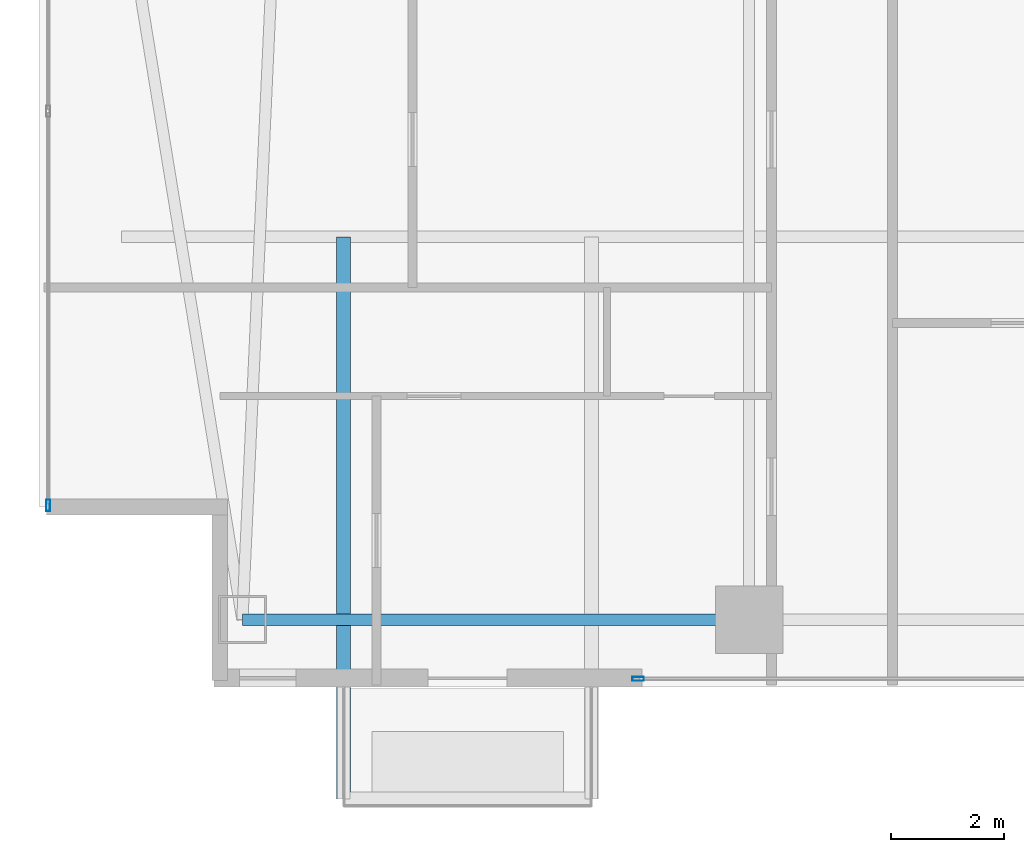
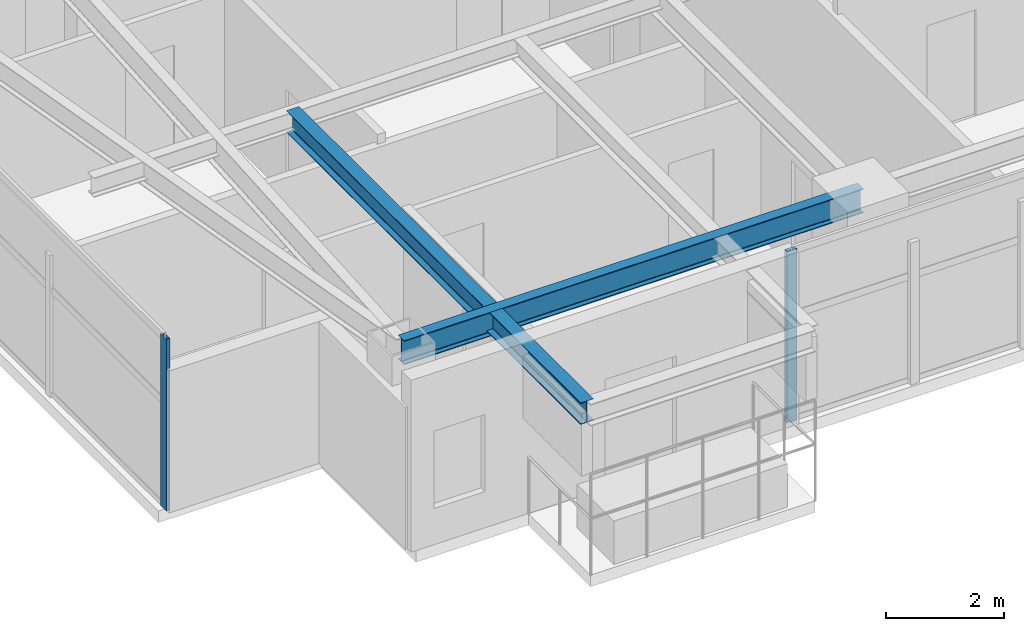
# One storey, part 2 of 29: 2 beams, 2 members, 2 elements without a shape of their own.
"""IFC4 building model written with IfcOpenShell, lengths in metres."""

from ifc_helpers import new_model, si_unit, direction, frame, origin, origin_2d, place, context, subcontext, project, spatial, hollow_rectangle, i_section, extrude, material, layer, layer_set, material_profile, profile_set, type_object, element, aggregate, save


model = new_model("IFC4")

# Units and contexts
model_context = context("Model", 3, precision=1e-05, world=origin(), true_north=direction((0.0, 1.0)))
body_context = subcontext(model_context, "Body", "Model", "MODEL_VIEW")
ifc_project = project(units=[si_unit("LENGTHUNIT", "METRE"), si_unit("AREAUNIT", "SQUARE_METRE"), si_unit("VOLUMEUNIT", "CUBIC_METRE"), si_unit("PLANEANGLEUNIT", "RADIAN"), si_unit("MASSUNIT", "GRAM", prefix="KILO")], contexts=[model_context])

# Site, building, storey
site_placement = place(None, origin())
site = spatial("IfcSite", under=ifc_project, at=site_placement, CompositionType="ELEMENT")
building_placement = place(site_placement, origin())
building = spatial("IfcBuilding", under=site, at=building_placement, Name="Calvorn Quay Hotel", CompositionType="ELEMENT")
storey_placement = place(building_placement, frame((0.0, 0.0, 163.699951171875)))
storey = spatial("IfcBuildingStorey", under=building, at=storey_placement, Name="L40", CompositionType="ELEMENT", Elevation=163.699951171875)

# Beams
ifc_material_1 = material(Name="Steel Q355B", Category="steel")
ifc_material_profile_1 = material_profile(ifc_material_1, i_section(OverallWidth=0.25, OverallDepth=0.449951171875, WebThickness=0.011962890625, FlangeThickness=0.01611328125, FilletRadius=0.01611328125, at=origin_2d()), Name="HN450x250x12x16")
ifc_profile_set_1 = profile_set([ifc_material_profile_1], Name="Steel Q355B")
beam_type_1 = type_object("IfcBeamType", Name="BM-CANT-BALC", PredefinedType="BEAM", material=ifc_profile_set_1)
beam_1_placement = place(storey_placement, frame((5.39990234375, 10.39990234375, 3.31494140625), z_axis=(0.0, -1.0, 0.0), x_axis=(1.0, 0.0, 0.0)))
element("IfcBeam", 1, at=beam_1_placement, inside=storey, type_object=beam_type_1, Name="Cantilever Balcony Beam BCB-L41-2A", PredefinedType="BEAM", context=body_context, shape_type="SweptSolid", body=[
    extrude(i_section(OverallWidth=0.25, OverallDepth=0.449951171875, WebThickness=0.011962890625, FlangeThickness=0.01611328125, FilletRadius=0.01611328125, at=origin_2d()), origin(), (0.0, 0.0, 1.0), 9.989990234375),
])
ifc_material_2 = material(Name="Steel Q355B", Category="steel")
ifc_material_profile_2 = material_profile(ifc_material_2, i_section(OverallWidth=0.199951171875, OverallDepth=0.5, WebThickness=0.010009765625, FlangeThickness=0.01611328125, FilletRadius=0.01611328125, at=origin_2d()), Name="HN500x200x10x16")
ifc_profile_set_2 = profile_set([ifc_material_profile_2], Name="Steel Q355B")
beam_type_2 = type_object("IfcBeamType", Name="BM-SPANDREL-Z1", PredefinedType="SPANDREL", material=ifc_profile_set_2)
beam_2_placement = place(storey_placement, frame((3.60009765625, 3.60009765625, 3.2900390625), z_axis=(1.0, 0.0, 0.0), x_axis=(0.0, 1.0, 0.0)))
element("IfcBeam", 2, at=beam_2_placement, inside=storey, type_object=beam_type_2, Name="Beam BSP-L40-S1", PredefinedType="SPANDREL", context=body_context, shape_type="SweptSolid", body=[
    extrude(i_section(OverallWidth=0.199951171875, OverallDepth=0.5, WebThickness=0.010009765625, FlangeThickness=0.01611328125, FilletRadius=0.01611328125, at=origin_2d()), origin(), (0.0, 0.0, 1.0), 9.0),
])

# Curtain wall, member
ifc_material_3 = material(Name="Pale Anodised Aluminium and Low-E Glass", Category="aluminium")
ifc_layer = layer(ifc_material_3, 0.219970703125)
ifc_layer_set = layer_set([ifc_layer], Name="CW-SYS-Z2")
curtain_wall_type = type_object("IfcCurtainWallType", Name="CW-SYS-Z2", PredefinedType="NOTDEFINED", material=ifc_layer_set)
curtain_wall_1_placement = place(storey_placement, origin())
curtain_wall_1 = element("IfcCurtainWall", 3, at=curtain_wall_1_placement, inside=storey, type_object=curtain_wall_type, Name="Tower West Curtain Wall (L40)", PredefinedType="NOTDEFINED")
ifc_material_4 = material(Name="Pale Anodised Aluminium 6063-T6", Category="aluminium")
ifc_material_profile_3 = material_profile(ifc_material_4, hollow_rectangle(XDim=0.070068359375, YDim=0.199951171875, WallThickness=0.00390625, at=origin_2d()), Name="ALU-M200x70x4")
ifc_profile_set_3 = profile_set([ifc_material_profile_3], Name="Pale Anodised Aluminium 6063-T6")
member_type = type_object("IfcMemberType", Name="CW-SYS-Z2-MUL", PredefinedType="MULLION", material=ifc_profile_set_3)
member_1_placement = place(storey_placement, frame((0.14990234375, 5.6298828125, 0.0), z_axis=(0.0, 0.0, 1.0), x_axis=(-1.0, 0.0, 0.0)))
member_1 = element("IfcMember", 4, at=member_1_placement, type_object=member_type, Name="CW-L40-W mullion 1", PredefinedType="MULLION", context=body_context, shape_type="SweptSolid", body=[
    extrude(hollow_rectangle(XDim=0.070068359375, YDim=0.199951171875, WallThickness=0.00390625, at=origin_2d()), origin(), (0.0, 0.0, 1.0), 3.56005859375),
])
aggregate(curtain_wall_1, [member_1])

curtain_wall_2_placement = place(storey_placement, origin())
curtain_wall_2 = element("IfcCurtainWall", 5, at=curtain_wall_2_placement, inside=storey, type_object=curtain_wall_type, Name="Tower South Waterfront Curtain Wall (L40)", PredefinedType="NOTDEFINED")
member_2_placement = place(storey_placement, frame((10.6298828125, 2.550048828125, 0.0), z_axis=(0.0, 0.0, 1.0), x_axis=(0.0, 1.0, 0.0)))
member_2 = element("IfcMember", 6, at=member_2_placement, type_object=member_type, Name="CW-L40-S mullion 1", PredefinedType="MULLION", context=body_context, shape_type="SweptSolid", body=[
    extrude(hollow_rectangle(XDim=0.070068359375, YDim=0.199951171875, WallThickness=0.00390625, at=origin_2d()), origin(), (0.0, 0.0, 1.0), 3.56005859375),
])
aggregate(curtain_wall_2, [member_2])

save(model, "model.ifc")
